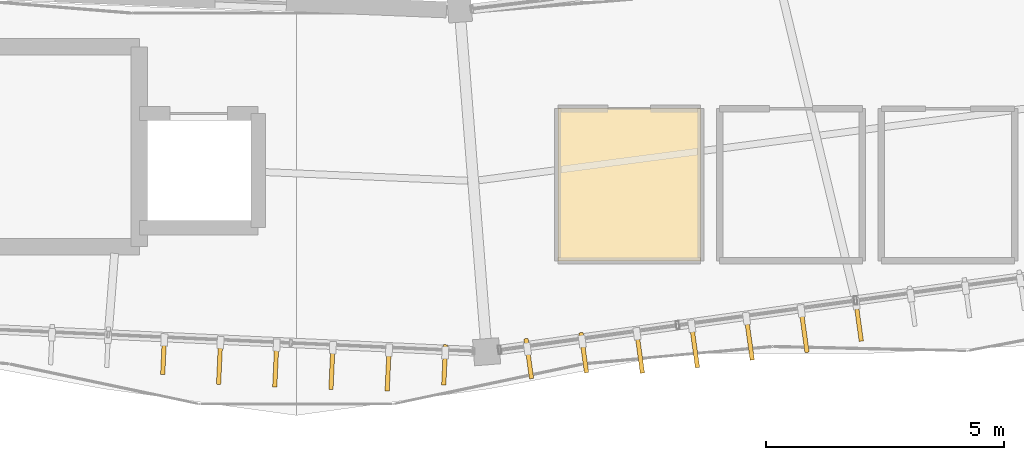
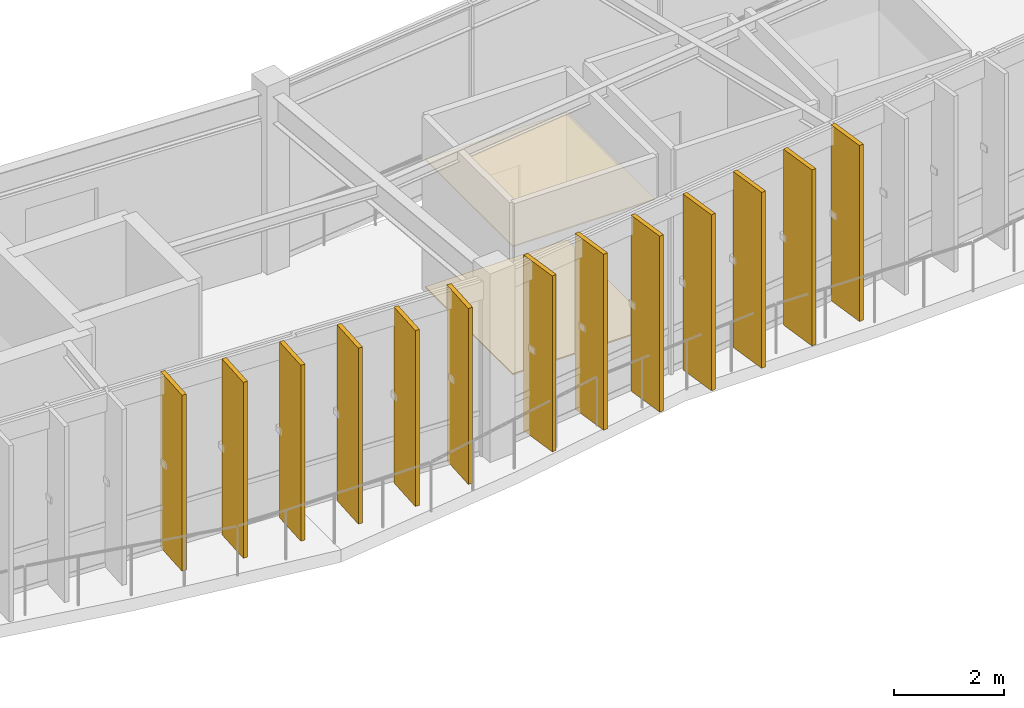
# One storey, part 76 of 79: 13 shading devices, 2 coverings.
"""IFC4 building model written with IfcOpenShell, lengths in metres."""

from ifc_helpers import new_model, si_unit, direction, frame, origin, origin_2d, place, context, subcontext, project, spatial, polyline, rectangle, outline, extrude, material, layer, layer_set, type_object, element, save


model = new_model("IFC4")

# Units and contexts
model_context = context("Model", 3, precision=1e-05, world=origin(), true_north=direction((0.0, 1.0)))
body_context = subcontext(model_context, "Body", "Model", "MODEL_VIEW")
ifc_project = project(units=[si_unit("LENGTHUNIT", "METRE"), si_unit("AREAUNIT", "SQUARE_METRE"), si_unit("VOLUMEUNIT", "CUBIC_METRE"), si_unit("PLANEANGLEUNIT", "RADIAN"), si_unit("MASSUNIT", "GRAM", prefix="KILO"), si_unit("THERMODYNAMICTEMPERATUREUNIT", "KELVIN"), si_unit("POWERUNIT", "WATT")], contexts=[model_context])

# Site, building, storey
site_placement = place(None, origin())
site = spatial("IfcSite", under=ifc_project, at=site_placement, CompositionType="ELEMENT")
building_placement = place(site_placement, origin())
building = spatial("IfcBuilding", under=site, at=building_placement, Name="Darbajah Civic Hall", CompositionType="ELEMENT")
storey_placement = place(building_placement, frame((0.0, 0.0, 22.199951171875)))
storey = spatial("IfcBuildingStorey", under=building, at=storey_placement, Name="L05", CompositionType="ELEMENT", Elevation=22.199951171875)

# Coverings
ifc_material_1 = material(Name="Honed Qatari Limestone Terrazzo", Category="masonry")
ifc_layer_1 = layer(ifc_material_1, 0.030029296875, Name="Honed Qatari Limestone Terrazzo")
ifc_layer_set_1 = layer_set([ifc_layer_1], Name="Honed Qatari Limestone Terrazzo")
covering_type_1 = type_object("IfcCoveringType", Name="Honed Qatari Limestone Terrazzo Flooring", PredefinedType="FLOORING", material=ifc_layer_set_1)
covering_1_placement = place(storey_placement, origin())
element("IfcCovering", 1, at=covering_1_placement, inside=storey, type_object=covering_type_1, Name="L05 stone terrazzo flooring L05-WCM", PredefinedType="FLOORING", context=body_context, shape_type="SweptSolid", body=[
    extrude(outline(polyline([(94.60009765625, 62.300048828125), (97.60009765625, 62.300048828125), (97.60009765625, 65.5), (94.60009765625, 65.5), (94.60009765625, 62.300048828125)])), origin(), (0.0, 0.0, 1.0), 0.030029296875),
])
ifc_material_2 = material(Name="Perforated Acoustic Gypsum Board")
ifc_layer_2 = layer(ifc_material_2, 0.02490234375, Name="Perforated Acoustic Gypsum Board")
ifc_layer_set_2 = layer_set([ifc_layer_2], Name="Perforated Acoustic Gypsum Board")
covering_type_2 = type_object("IfcCoveringType", Name="Perforated Acoustic Gypsum Ceiling", PredefinedType="CEILING", material=ifc_layer_set_2)
covering_2_placement = place(storey_placement, frame((0.0, 0.0, 2.85009765625)))
element("IfcCovering", 2, at=covering_2_placement, inside=storey, type_object=covering_type_2, Name="L05 acoustic suspended ceiling L05-WCM", PredefinedType="CEILING", context=body_context, shape_type="SweptSolid", body=[
    extrude(outline(polyline([(94.60009765625, 62.300048828125), (97.60009765625, 62.300048828125), (97.60009765625, 65.5), (94.60009765625, 65.5), (94.60009765625, 62.300048828125)])), origin(), (0.0, 0.0, 1.0), 0.02490234375),
])

# Shading devices
ifc_material_3 = material(Name="Bronze Anodised Aluminium and Teak Composite", Category="aluminium")
shading_device_type = type_object("IfcShadingDeviceType", Name="Vertical Bronze Timber Shading Fin", PredefinedType="USERDEFINED", material=ifc_material_3)
for number, where, z_axis, x_axis, name in (
    (3, (86.312255859375, 60.3349609375, 0.0), (0.0, 0.0, 1.0), (-0.045537340693, -0.998962637241, 0.0), "L05 vertical shading fin VF-14-8"),
    (4, (87.486572265625, 60.131103515625, 0.0), (0.0, 0.0, 1.0), (-0.045537340693, -0.998962637241, 0.0), "L05 vertical shading fin VF-14-9"),
    (5, (88.66748046875, 60.0771484375, 0.0), (0.0, 0.0, 1.0), (-0.045537340693, -0.998962637241, 0.0), "L05 vertical shading fin VF-14-10"),
    (6, (89.8486328125, 60.0234375, 0.0), (0.0, 0.0, 1.0), (-0.045537340693, -0.998962637241, 0.0), "L05 vertical shading fin VF-14-11"),
    (7, (91.030517578125, 59.989013671875, 0.0), (0.0, 0.0, 1.0), (-0.045537340693, -0.998962637241, 0.0), "L05 vertical shading fin VF-14-12"),
    (8, (92.2197265625, 60.114013671875, 0.0), (0.0, 0.0, 1.0), (-0.045537340693, -0.998962637241, 0.0), "L05 vertical shading fin VF-14-13"),
    (9, (93.98779296875, 60.24658203125, 0.0), (0.0, 0.0, 1.0), (0.137617420457, -0.990485459553, 0.0), "L05 vertical shading fin VF-15-1"),
    (10, (95.143798828125, 60.372802734375, 0.0), (0.0, 0.0, 1.0), (0.137617420457, -0.990485459553, 0.0), "L05 vertical shading fin VF-15-2"),
    (11, (96.318603515625, 60.363037109375, 0.0), (0.0, 0.0, 1.0), (0.137617420457, -0.990485459553, 0.0), "L05 vertical shading fin VF-15-3"),
    (12, (97.47607421875, 60.478515625, 0.0), (0.0, 0.0, 1.0), (0.137617420457, -0.990485459553, 0.0), "L05 vertical shading fin VF-15-4"),
    (13, (98.62744140625, 60.638427734375, 0.0), (0.0, 0.0, 1.0), (0.137617420457, -0.990485459553, 0.0), "L05 vertical shading fin VF-15-5"),
    (14, (99.77880859375, 60.79833984375, 0.0), (0.0, 0.0, 1.0), (0.137617420457, -0.990485459553, 0.0), "L05 vertical shading fin VF-15-6"),
    (15, (100.919189453125, 61.035888671875, 0.0), (0.0, 0.0, 1.0), (0.137617420457, -0.990485459553, 0.0), "L05 vertical shading fin VF-15-7"),
):
    element("IfcShadingDevice", number, at=place(storey_placement, frame(where, z_axis=z_axis, x_axis=x_axis)), inside=storey, type_object=shading_device_type, Name=name, ObjectType="VERTICAL FIN", PredefinedType="USERDEFINED", context=body_context, shape_type="SweptSolid", body=[
        extrude(rectangle(XDim=0.85009765625, YDim=0.090087890625, at=origin_2d()), origin(), (0.0, 0.0, 1.0), 3.919921875),
    ])

save(model, "model.ifc")
